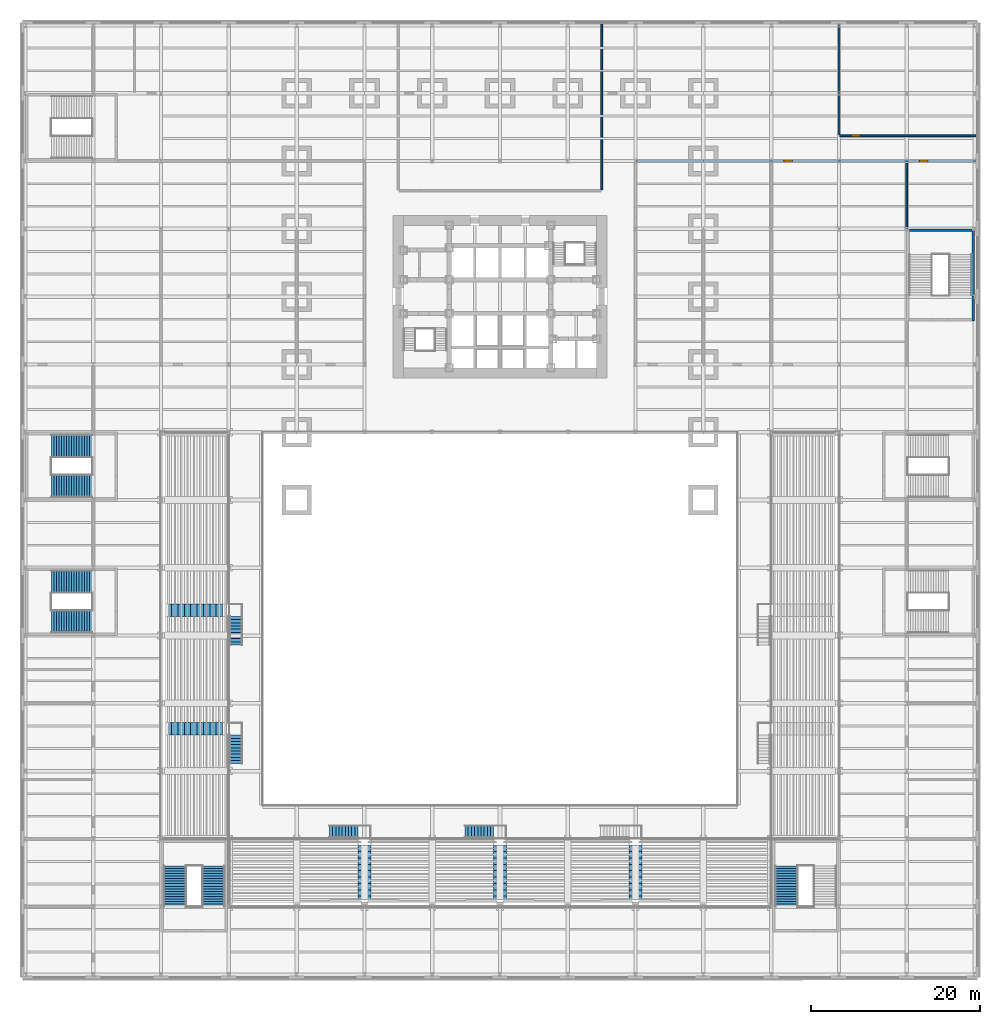
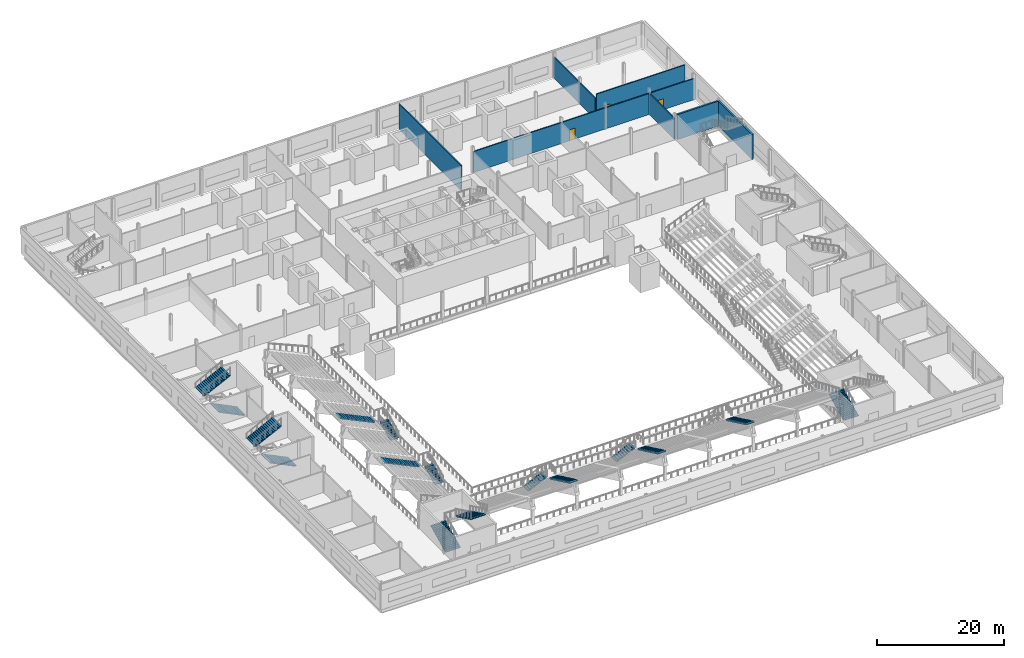
# One storey, part 18 of 27: 16 stair flights, 7 walls, 3 doors, 3 openings, 9 elements without a shape of their own.
"""IFC4 building model written with IfcOpenShell, lengths in metres."""

import ifcopenshell
import ifcopenshell.guid

model = None  # the IFC model being written
_history = None  # IfcOwnerHistory: only IFC2X3 demands one
_inside = {}  # id of a spatial element -> (the spatial element, [elements in it])
_under = {}  # id of a project, library or spatial element -> (it, [spatial elements below it])
_declared = {}  # id of a project -> (the project, [libraries it declares])
_typed = {}  # id of a type object -> (the type object, [elements of that type])
_made_of = {}  # id of a material, layer set ... -> (it, [elements and type objects made of it])


def new_model(schema):
    """Start an empty IFC model of exactly this schema.

    Asked for "IFC4X3", IfcOpenShell would pick the latest addendum, in which some entities
    have other attributes; the version numbers below select the first issue.
    IFC2X3 requires an IfcOwnerHistory on every rooted entity: one is made here for all.
    """
    global model, _history
    if schema == "IFC4X3":
        model = ifcopenshell.file(schema_version=(4, 3, 0, 0))
    else:
        model = ifcopenshell.file(schema=schema)
    _inside.clear()
    _under.clear()
    _declared.clear()
    _typed.clear()
    _made_of.clear()
    _history = None
    if model.schema == "IFC2X3":
        org = make("IfcOrganization", Name="unknown")
        user = make(
            "IfcPersonAndOrganization",
            ThePerson=make("IfcPerson", FamilyName="unknown"),
            TheOrganization=org,
        )
        app = make(
            "IfcApplication",
            ApplicationDeveloper=org,
            Version="unknown",
            ApplicationFullName="unknown",
            ApplicationIdentifier="unknown",
        )
        _history = make(
            "IfcOwnerHistory",
            OwningUser=user,
            OwningApplication=app,
            ChangeAction="ADDED",
            CreationDate=0,
        )
    return model


def make(cls, **values):
    """One entity of the class cls with the attributes given. An attribute that is None is left unset."""
    return model.create_entity(
        cls, **{name: value for name, value in values.items() if value is not None}
    )


def rooted(cls, **values):
    """An entity with a GlobalId (a new one), such as an element, a storey or a relation."""
    return make(cls, GlobalId=ifcopenshell.guid.new(), OwnerHistory=_history, **values)


def si_unit(unit_type, name, prefix=None):
    """IfcSIUnit, for example si_unit("LENGTHUNIT", "METRE", prefix="MILLI")."""
    return make("IfcSIUnit", UnitType=unit_type, Prefix=prefix, Name=name)


def assignment(units):
    """IfcUnitAssignment: the units of a project."""
    return None if units is None else make("IfcUnitAssignment", Units=units)


def point(xyz):
    """IfcCartesianPoint."""
    return None if xyz is None else make("IfcCartesianPoint", Coordinates=xyz)


def direction(xyz):
    """IfcDirection."""
    return None if xyz is None else make("IfcDirection", DirectionRatios=xyz)


def frame(location, z_axis=None, x_axis=None):
    """IfcAxis2Placement3D, a coordinate frame: its origin and axes. An axis left out is left unset."""
    return make(
        "IfcAxis2Placement3D",
        Location=point(location),
        Axis=direction(z_axis),
        RefDirection=direction(x_axis),
    )


def frame_2d(location, x_axis=None):
    """IfcAxis2Placement2D, a coordinate frame in the plane: its origin and x axis."""
    return make(
        "IfcAxis2Placement2D", Location=point(location), RefDirection=direction(x_axis)
    )


def origin():
    """The frame at (0, 0, 0) with its axes left unset."""
    return frame((0.0, 0.0, 0.0))


def place(relative_to, where):
    """IfcLocalPlacement: puts the frame where relative to a parent placement (None: the world)."""
    return make(
        "IfcLocalPlacement", PlacementRelTo=relative_to, RelativePlacement=where
    )


def context(
    kind, dimensions, precision=None, world=None, true_north=None, identifier=None
):
    """IfcGeometricRepresentationContext, for example the 3D "Model" context."""
    return make(
        "IfcGeometricRepresentationContext",
        ContextIdentifier=identifier,
        ContextType=kind,
        CoordinateSpaceDimension=dimensions,
        Precision=precision,
        WorldCoordinateSystem=world,
        TrueNorth=true_north,
    )


def subcontext(parent, identifier, kind, view, scale=None):
    """IfcGeometricRepresentationSubContext, for example "Body" below "Model"."""
    return make(
        "IfcGeometricRepresentationSubContext",
        ContextIdentifier=identifier,
        ContextType=kind,
        ParentContext=parent,
        TargetScale=scale,
        TargetView=view,
    )


def project(units=None, contexts=None):
    """IfcProject with its units and contexts."""
    return rooted(
        "IfcProject",
        Name="project",
        RepresentationContexts=contexts,
        UnitsInContext=assignment(units),
    )


def spatial(cls, under=None, at=None, **own):
    """A site, building, storey or space (cls), placed at a placement, below another one or the project."""
    s = rooted(cls, ObjectPlacement=at, **own)
    if under is not None:
        _under.setdefault(under.id(), (under, []))[1].append(s)
    return s


def polyline(points):
    """IfcPolyline through the points."""
    return make("IfcPolyline", Points=[point(p) for p in points])


def profile(cls, at=None, kind="AREA", **sizes):
    """A parametric profile (cls). Its sizes go by their IFC names, for example OverallWidth=200.0."""
    return make(cls, ProfileType=kind, Position=at, **sizes)


def rectangle(**sizes):
    """IfcRectangleProfileDef."""
    return profile("IfcRectangleProfileDef", **sizes)


def outline(outer, holes=None, kind="AREA"):
    """IfcArbitraryClosedProfileDef: a profile drawn as a closed curve; with holes, ...WithVoids."""
    if holes is None:
        return make("IfcArbitraryClosedProfileDef", ProfileType=kind, OuterCurve=outer)
    return make(
        "IfcArbitraryProfileDefWithVoids",
        ProfileType=kind,
        OuterCurve=outer,
        InnerCurves=holes,
    )


def extrude(swept, where, along, depth):
    """IfcExtrudedAreaSolid: the profile swept, set in the frame where, extruded along a direction by depth."""
    return make(
        "IfcExtrudedAreaSolid",
        SweptArea=swept,
        Position=where,
        ExtrudedDirection=direction(along),
        Depth=depth,
    )


def shape(context_of_items, identifier, shape_type, items):
    """IfcShapeRepresentation: the items that make up one representation, for example the "Body"."""
    return make(
        "IfcShapeRepresentation",
        ContextOfItems=context_of_items,
        RepresentationIdentifier=identifier,
        RepresentationType=shape_type,
        Items=items,
    )


def material(Name=None, Category=None):
    """IfcMaterial."""
    return make("IfcMaterial", Name=Name, Category=Category)


def layer(
    of_material, thickness, ventilated=None, Name=None, Category=None, Priority=None
):
    """IfcMaterialLayer: one layer of a wall or slab, of a material (None: an air gap)."""
    return make(
        "IfcMaterialLayer",
        Material=of_material,
        LayerThickness=thickness,
        IsVentilated=ventilated,
        Name=Name,
        Category=Category,
        Priority=Priority,
    )


def layer_set(layers, Name=None):
    """IfcMaterialLayerSet."""
    return make("IfcMaterialLayerSet", MaterialLayers=layers, LayerSetName=Name)


def made_of(thing, what):
    """Note that an element or type object is made of a material, layer set ...; save() writes the relation."""
    if what is not None:
        _made_of.setdefault(what.id(), (what, []))[1].append(thing)
    return thing


def type_object(cls, material=None, **own):
    """A type object (cls), such as IfcWallType, which elements share."""
    return made_of(rooted(cls, **own), material)


def element(
    cls,
    number,
    at=None,
    inside=None,
    cuts=None,
    type_object=None,
    material=None,
    context=None,
    identifier="Body",
    shape_type=None,
    held_by="IfcProductDefinitionShape",
    body=None,
    shapes=None,
    **own,
):
    """One element of the class cls, such as IfcWall. Its Tag is "e" and its number.

    at: its placement. inside: the storey or other place that contains it. cuts: it is an
    opening in that element (IfcRelVoidsElement). A single representation is given by context,
    identifier, shape_type and body (its items); several are given by shapes. held_by: the class
    of the entity that holds the representations. save() writes the other relations.
    """
    e = rooted(cls, Tag="e%d" % number, ObjectPlacement=at, **own)
    if body is not None:
        shapes = [shape(context, identifier, shape_type, body)]
    if shapes is not None:
        e.Representation = make(held_by, Representations=shapes)
    if inside is not None:
        _inside.setdefault(inside.id(), (inside, []))[1].append(e)
    if cuts is not None:
        rooted(
            "IfcRelVoidsElement", RelatingBuildingElement=cuts, RelatedOpeningElement=e
        )
    if type_object is not None:
        _typed.setdefault(type_object.id(), (type_object, []))[1].append(e)
    return made_of(e, material)


def fill(opening, filler):
    """IfcRelFillsElement: the door or window that sits in an opening."""
    return rooted(
        "IfcRelFillsElement",
        RelatingOpeningElement=opening,
        RelatedBuildingElement=filler,
    )


def aggregate(whole, parts):
    """IfcRelAggregates: a whole, such as a stair, and the parts it consists of."""
    return rooted("IfcRelAggregates", RelatingObject=whole, RelatedObjects=parts)


def save(model, path):
    """Write the relations noted so far, then the file.

    IfcRelAggregates (storeys below a building ...), IfcRelContainedInSpatialStructure (elements
    in a storey), IfcRelDefinesByType, IfcRelAssociatesMaterial and IfcRelDeclares: one each for
    every whole, place, type object, material and project.
    """
    for whole, parts in _under.values():
        aggregate(whole, parts)
    for where, things in _inside.values():
        rooted(
            "IfcRelContainedInSpatialStructure",
            RelatedElements=things,
            RelatingStructure=where,
        )
    for kind, things in _typed.values():
        rooted("IfcRelDefinesByType", RelatedObjects=things, RelatingType=kind)
    for what, things in _made_of.values():
        rooted("IfcRelAssociatesMaterial", RelatedObjects=things, RelatingMaterial=what)
    for by, libraries in _declared.values():
        rooted("IfcRelDeclares", RelatingContext=by, RelatedDefinitions=libraries)
    model.write(path)


model = new_model("IFC4")

# Units and contexts
model_context = context("Model", 3, precision=1e-05, world=origin(), true_north=direction((0.0, 1.0)))
body_context = subcontext(model_context, "Body", "Model", "MODEL_VIEW")
ifc_project = project(units=[si_unit("LENGTHUNIT", "METRE"), si_unit("AREAUNIT", "SQUARE_METRE"), si_unit("VOLUMEUNIT", "CUBIC_METRE"), si_unit("PLANEANGLEUNIT", "RADIAN"), si_unit("MASSUNIT", "GRAM", prefix="KILO")], contexts=[model_context])

# Site, building, storey
site_placement = place(None, origin())
site = spatial("IfcSite", under=ifc_project, at=site_placement, CompositionType="ELEMENT")
building_placement = place(site_placement, origin())
building = spatial("IfcBuilding", under=site, at=building_placement, Name="Daluyong Arena Tower", CompositionType="ELEMENT")
storey_placement = place(building_placement, frame((0.0, 0.0, 14.89990234375)))
storey = spatial("IfcBuildingStorey", under=building, at=storey_placement, Name="L03", CompositionType="ELEMENT", Elevation=14.89990234375)

# Wall, openings, doors
ifc_material_1 = material(Name="Concrete block partition", Category="concrete")
ifc_layer_1 = layer(ifc_material_1, 0.199951171875)
ifc_layer_set_1 = layer_set([ifc_layer_1], Name="Concrete block partition")
wall_type_1 = type_object("IfcWallType", Name="Partition 200", PredefinedType="PARTITIONING", material=ifc_layer_set_1)
wall_1_placement = place(storey_placement, frame((72.10009765625, 96.0, 0.0), z_axis=(0.0, 0.0, 1.0), x_axis=(1.0, 0.0, 0.0)))
wall_1 = element("IfcWall", 1, at=wall_1_placement, inside=storey, type_object=wall_type_1, Name="partition at L03", PredefinedType="PARTITIONING", context=body_context, shape_type="SweptSolid", body=[
    extrude(rectangle(XDim=40.0498046875, YDim=0.199951171875, at=frame_2d((20.02490234375, 0.0))), origin(), (0.0, 0.0, 1.0), 4.02783203125),
])
opening_1_placement = place(wall_1_placement, frame((17.39990234375, 0.0, 0.0)))
opening_1 = element("IfcOpeningElement", 2, at=opening_1_placement, cuts=wall_1, Name="Opening 03049", PredefinedType="OPENING", context=body_context, shape_type="SweptSolid", body=[
    extrude(rectangle(XDim=1.0, YDim=2.10009765625, at=frame_2d((0.5, 1.050048828125))), frame((0.0, 0.10986328125, 0.0), z_axis=(0.0, -1.0, 0.0), x_axis=(1.0, 0.0, 0.0)), (0.0, 0.0, 1.0), 0.219970703125),
])
opening_2_placement = place(wall_1_placement, frame((33.39990234375, 0.0, 0.0)))
opening_2 = element("IfcOpeningElement", 3, at=opening_2_placement, cuts=wall_1, Name="Opening 03050", PredefinedType="OPENING", context=body_context, shape_type="SweptSolid", body=[
    extrude(rectangle(XDim=1.0, YDim=2.10009765625, at=frame_2d((0.5, 1.050048828125))), frame((0.0, 0.10986328125, 0.0), z_axis=(0.0, -1.0, 0.0), x_axis=(1.0, 0.0, 0.0)), (0.0, 0.0, 1.0), 0.219970703125),
])
ifc_material_2 = material(Name="Timber door", Category="wood")
door_type = type_object("IfcDoorType", Name="Room door 1000", OperationType="SINGLE_SWING_LEFT", PredefinedType="DOOR", material=ifc_material_2)
door_1_placement = place(opening_1_placement, origin())
door_1 = element("IfcDoor", 4, at=door_1_placement, inside=storey, type_object=door_type, Name="event crew room door 03049", OperationType="SINGLE_SWING_LEFT", OverallHeight=2.10009765625, OverallWidth=1.0, PredefinedType="DOOR", context=body_context, shape_type="SweptSolid", body=[
    extrude(rectangle(XDim=1.0, YDim=2.10009765625, at=frame_2d((0.5, 1.050048828125))), frame((0.0, 0.099609375, 0.0), z_axis=(0.0, -1.0, 0.0), x_axis=(1.0, 0.0, 0.0)), (0.0, 0.0, 1.0), 0.199462890625),
])
fill(opening_1, door_1)
door_2_placement = place(opening_2_placement, origin())
door_2 = element("IfcDoor", 5, at=door_2_placement, inside=storey, type_object=door_type, Name="camera and cable workshop door 03050", OperationType="SINGLE_SWING_LEFT", OverallHeight=2.10009765625, OverallWidth=1.0, PredefinedType="DOOR", context=body_context, shape_type="SweptSolid", body=[
    extrude(rectangle(XDim=1.0, YDim=2.10009765625, at=frame_2d((0.5, 1.050048828125))), frame((0.0, 0.099609375, 0.0), z_axis=(0.0, -1.0, 0.0), x_axis=(1.0, 0.0, 0.0)), (0.0, 0.0, 1.0), 0.199462890625),
])
fill(opening_2, door_2)

# Wall, opening, door
wall_2_placement = place(storey_placement, frame((96.10009765625, 99.0, 0.0), z_axis=(0.0, 0.0, 1.0), x_axis=(1.0, 0.0, 0.0)))
wall_2 = element("IfcWall", 6, at=wall_2_placement, inside=storey, type_object=wall_type_1, Name="partition at L03", PredefinedType="PARTITIONING", context=body_context, shape_type="SweptSolid", body=[
    extrude(rectangle(XDim=16.0498046875, YDim=0.199951171875, at=frame_2d((8.02490234375, 0.0))), origin(), (0.0, 0.0, 1.0), 4.800048828125),
])
opening_3_placement = place(wall_2_placement, frame((1.39990234375, 0.0, 0.0)))
opening_3 = element("IfcOpeningElement", 7, at=opening_3_placement, cuts=wall_2, Name="Opening 03030", PredefinedType="OPENING", context=body_context, shape_type="SweptSolid", body=[
    extrude(rectangle(XDim=1.0, YDim=2.10009765625, at=frame_2d((0.5, 1.050048828125))), frame((0.0, 0.10986328125, 0.0), z_axis=(0.0, -1.0, 0.0), x_axis=(1.0, 0.0, 0.0)), (0.0, 0.0, 1.0), 0.219970703125),
])
door_3_placement = place(opening_3_placement, origin())
door_3 = element("IfcDoor", 8, at=door_3_placement, inside=storey, type_object=door_type, Name="media workroom door 03030", OperationType="SINGLE_SWING_LEFT", OverallHeight=2.10009765625, OverallWidth=1.0, PredefinedType="DOOR", context=body_context, shape_type="SweptSolid", body=[
    extrude(rectangle(XDim=1.0, YDim=2.10009765625, at=frame_2d((0.5, 1.050048828125))), frame((0.0, 0.099609375, 0.0), z_axis=(0.0, -1.0, 0.0), x_axis=(1.0, 0.0, 0.0)), (0.0, 0.0, 1.0), 0.199462890625),
])
fill(opening_3, door_3)

# Walls
wall_3_placement = place(storey_placement, frame((68.0, 92.60009765625, 0.0), z_axis=(0.0, 0.0, 1.0), x_axis=(0.0, 1.0, 0.0)))
element("IfcWall", 9, at=wall_3_placement, inside=storey, type_object=wall_type_1, Name="partition at L03", PredefinedType="PARTITIONING", context=body_context, shape_type="SweptSolid", body=[
    extrude(rectangle(XDim=19.5498046875, YDim=0.199951171875, at=frame_2d((9.77490234375, 0.0))), origin(), (0.0, 0.0, 1.0), 4.800048828125),
])
wall_4_placement = place(storey_placement, frame((96.0, 99.10009765625, 0.0), z_axis=(0.0, 0.0, 1.0), x_axis=(0.0, 1.0, 0.0)))
element("IfcWall", 10, at=wall_4_placement, inside=storey, type_object=wall_type_1, Name="partition at L03", PredefinedType="PARTITIONING", context=body_context, shape_type="SweptSolid", body=[
    extrude(rectangle(XDim=13.0498046875, YDim=0.199951171875, at=frame_2d((6.52490234375, 0.0))), origin(), (0.0, 0.0, 1.0), 4.02783203125),
])
wall_5_placement = place(storey_placement, frame((104.0, 88.10009765625, 0.0), z_axis=(0.0, 0.0, 1.0), x_axis=(0.0, 1.0, 0.0)))
element("IfcWall", 11, at=wall_5_placement, inside=storey, type_object=wall_type_1, Name="partition at L03", PredefinedType="PARTITIONING", context=body_context, shape_type="SweptSolid", body=[
    extrude(rectangle(XDim=7.7998046875, YDim=0.199951171875, at=frame_2d((3.89990234375, 0.0))), origin(), (0.0, 0.0, 1.0), 4.02783203125),
])
ifc_material_3 = material(Name="Concrete fc' 35 MPa", Category="concrete")
ifc_layer_2 = layer(ifc_material_3, 0.300048828125)
ifc_layer_set_2 = layer_set([ifc_layer_2], Name="Concrete fc' 35 MPa")
wall_type_2 = type_object("IfcWallType", Name="Stair enclosure wall 300", PredefinedType="SOLIDWALL", material=ifc_layer_set_2)
wall_6_placement = place(storey_placement, frame((111.85009765625, 77.14990234375, 0.0), z_axis=(0.0, 0.0, 1.0), x_axis=(0.0, 1.0, 0.0)))
element("IfcWall", 12, at=wall_6_placement, inside=storey, type_object=wall_type_2, Name="exit stair PS6 enclosure", PredefinedType="SOLIDWALL", context=body_context, shape_type="SweptSolid", body=[
    extrude(rectangle(XDim=10.641845703125, YDim=0.300048828125, at=frame_2d((5.32080078125, 0.0))), origin(), (0.0, 0.0, 1.0), 4.800048828125),
])
wall_7_placement = place(storey_placement, frame((104.300048828125, 87.85009765625, 0.0), z_axis=(0.0, 0.0, 1.0), x_axis=(1.0, 0.0, 0.0)))
element("IfcWall", 13, at=wall_7_placement, inside=storey, type_object=wall_type_2, Name="exit stair PS6 enclosure", PredefinedType="SOLIDWALL", context=body_context, shape_type="SweptSolid", body=[
    extrude(rectangle(XDim=7.39990234375, YDim=0.300048828125, at=frame_2d((3.699951171875, 0.0))), origin(), (0.0, 0.0, 1.0), 4.800048828125),
])

# Stair, stair flights
ifc_material_4 = material(Name="Concrete fc' 35 MPa", Category="concrete")
stair_type_1 = type_object("IfcStairType", Name="Bowl aisle stair", PredefinedType="STRAIGHT_RUN_STAIR", material=ifc_material_4)
stair_1_placement = place(storey_placement, origin())
stair_1 = element("IfcStair", 14, at=stair_1_placement, inside=storey, type_object=stair_type_1, Name="upper bowl aisle stair", PredefinedType="STRAIGHT_RUN_STAIR")
ifc_material_5 = material(Name="Concrete fc' 35 MPa", Category="concrete")
stair_flight_type_1 = type_object("IfcStairFlightType", Name="Aisle stair flight", PredefinedType="STRAIGHT", material=ifc_material_5)
stair_flight_1_placement = place(storey_placement, frame((24.85009765625, 24.875, 0.0), z_axis=(0.0, 0.0, 1.0), x_axis=(0.0, 1.0, 0.0)))
stair_flight_1 = element("IfcStairFlight", 15, at=stair_flight_1_placement, type_object=stair_flight_type_1, Name="AS flight 1", NumberOfRisers=10, NumberOfTreads=9, PredefinedType="STRAIGHT", RiserHeight=0.178571429, TreadLength=0.375, context=body_context, shape_type="SweptSolid", body=[
    extrude(outline(polyline([(0.0, 0.0), (0.0, 0.178466796875), (0.375, 0.178466796875), (0.375, 0.357177734375), (0.75, 0.357177734375), (0.75, 0.53564453125), (1.125, 0.53564453125), (1.125, 0.71435546875), (1.5, 0.71435546875), (1.5, 0.892822265625), (1.875, 0.892822265625), (1.875, 1.071533203125), (2.25, 1.071533203125), (2.25, 1.25), (2.625, 1.25), (2.625, 1.428466796875), (3.0, 1.428466796875), (3.0, 1.607177734375), (3.375, 1.607177734375), (3.375, 1.78564453125), (3.375, 1.441162109375), (0.3486328125, 0.0), (0.0, 0.0)])), frame((0.0, 0.75, 0.0), z_axis=(0.0, -1.0, 0.0), x_axis=(1.0, 0.0, 0.0)), (0.0, 0.0, 1.0), 1.5),
])
stair_flight_2_placement = place(storey_placement, frame((23.25, 29.0, 1.785888671875), z_axis=(0.0, 0.0, 1.0), x_axis=(-1.0, 0.0, 0.0)))
stair_flight_2 = element("IfcStairFlight", 16, at=stair_flight_2_placement, type_object=stair_flight_type_1, Name="AS flight 2", NumberOfRisers=18, NumberOfTreads=17, PredefinedType="STRAIGHT", RiserHeight=0.178571429, TreadLength=0.375, context=body_context, shape_type="SweptSolid", body=[
    extrude(outline(polyline([(0.0, 0.0), (0.0, 0.178466796875), (0.375, 0.178466796875), (0.375, 0.357177734375), (0.75, 0.357177734375), (0.75, 0.53564453125), (1.125, 0.53564453125), (1.125, 0.71435546875), (1.5, 0.71435546875), (1.5, 0.892822265625), (1.875, 0.892822265625), (1.875, 1.071533203125), (2.25, 1.071533203125), (2.25, 1.25), (2.625, 1.25), (2.625, 1.428466796875), (3.0, 1.428466796875), (3.0, 1.607177734375), (3.375, 1.607177734375), (3.375, 1.78564453125), (3.75, 1.78564453125), (3.75, 1.96435546875), (4.125, 1.96435546875), (4.125, 2.142822265625), (4.5, 2.142822265625), (4.5, 2.321533203125), (4.875, 2.321533203125), (4.875, 2.5), (5.25, 2.5), (5.25, 2.678466796875), (5.625, 2.678466796875), (5.625, 2.857177734375), (6.0, 2.857177734375), (6.0, 3.03564453125), (6.375, 3.03564453125), (6.375, 3.21435546875), (6.375, 2.86962890625), (0.3486328125, 0.0), (0.0, 0.0)])), frame((0.0, 0.75, 0.0), z_axis=(0.0, -1.0, 0.0), x_axis=(1.0, 0.0, 0.0)), (0.0, 0.0, 1.0), 1.5),
])
aggregate(stair_1, [stair_flight_1, stair_flight_2])

stair_2_placement = place(storey_placement, origin())
stair_2 = element("IfcStair", 17, at=stair_2_placement, inside=storey, type_object=stair_type_1, Name="upper bowl aisle stair", PredefinedType="STRAIGHT_RUN_STAIR")
stair_flight_3_placement = place(storey_placement, frame((24.85009765625, 38.875, 0.0), z_axis=(0.0, 0.0, 1.0), x_axis=(0.0, 1.0, 0.0)))
stair_flight_3 = element("IfcStairFlight", 18, at=stair_flight_3_placement, type_object=stair_flight_type_1, Name="AS flight 1", NumberOfRisers=10, NumberOfTreads=9, PredefinedType="STRAIGHT", RiserHeight=0.178571429, TreadLength=0.375, context=body_context, shape_type="SweptSolid", body=[
    extrude(outline(polyline([(0.0, 0.0), (0.0, 0.178466796875), (0.375, 0.178466796875), (0.375, 0.357177734375), (0.75, 0.357177734375), (0.75, 0.53564453125), (1.125, 0.53564453125), (1.125, 0.71435546875), (1.5, 0.71435546875), (1.5, 0.892822265625), (1.875, 0.892822265625), (1.875, 1.071533203125), (2.25, 1.071533203125), (2.25, 1.25), (2.625, 1.25), (2.625, 1.428466796875), (3.0, 1.428466796875), (3.0, 1.607177734375), (3.375, 1.607177734375), (3.375, 1.78564453125), (3.375, 1.441162109375), (0.3486328125, 0.0), (0.0, 0.0)])), frame((0.0, 0.75, 0.0), z_axis=(0.0, -1.0, 0.0), x_axis=(1.0, 0.0, 0.0)), (0.0, 0.0, 1.0), 1.5),
])
stair_flight_4_placement = place(storey_placement, frame((23.25, 43.0, 1.785888671875), z_axis=(0.0, 0.0, 1.0), x_axis=(-1.0, 0.0, 0.0)))
stair_flight_4 = element("IfcStairFlight", 19, at=stair_flight_4_placement, type_object=stair_flight_type_1, Name="AS flight 2", NumberOfRisers=18, NumberOfTreads=17, PredefinedType="STRAIGHT", RiserHeight=0.178571429, TreadLength=0.375, context=body_context, shape_type="SweptSolid", body=[
    extrude(outline(polyline([(0.0, 0.0), (0.0, 0.178466796875), (0.375, 0.178466796875), (0.375, 0.357177734375), (0.75, 0.357177734375), (0.75, 0.53564453125), (1.125, 0.53564453125), (1.125, 0.71435546875), (1.5, 0.71435546875), (1.5, 0.892822265625), (1.875, 0.892822265625), (1.875, 1.071533203125), (2.25, 1.071533203125), (2.25, 1.25), (2.625, 1.25), (2.625, 1.428466796875), (3.0, 1.428466796875), (3.0, 1.607177734375), (3.375, 1.607177734375), (3.375, 1.78564453125), (3.75, 1.78564453125), (3.75, 1.96435546875), (4.125, 1.96435546875), (4.125, 2.142822265625), (4.5, 2.142822265625), (4.5, 2.321533203125), (4.875, 2.321533203125), (4.875, 2.5), (5.25, 2.5), (5.25, 2.678466796875), (5.625, 2.678466796875), (5.625, 2.857177734375), (6.0, 2.857177734375), (6.0, 3.03564453125), (6.375, 3.03564453125), (6.375, 3.21435546875), (6.375, 2.86962890625), (0.3486328125, 0.0), (0.0, 0.0)])), frame((0.0, 0.75, 0.0), z_axis=(0.0, -1.0, 0.0), x_axis=(1.0, 0.0, 0.0)), (0.0, 0.0, 1.0), 1.5),
])
aggregate(stair_2, [stair_flight_3, stair_flight_4])

stair_3_placement = place(storey_placement, origin())
stair_3 = element("IfcStair", 20, at=stair_3_placement, inside=storey, type_object=stair_type_1, Name="upper bowl aisle stair", PredefinedType="STRAIGHT_RUN_STAIR")
stair_flight_5_placement = place(storey_placement, frame((35.875, 16.85009765625, 0.0), z_axis=(0.0, 0.0, 1.0), x_axis=(1.0, 0.0, 0.0)))
stair_flight_5 = element("IfcStairFlight", 21, at=stair_flight_5_placement, type_object=stair_flight_type_1, Name="AS flight 1", NumberOfRisers=10, NumberOfTreads=9, PredefinedType="STRAIGHT", RiserHeight=0.178571429, TreadLength=0.375, context=body_context, shape_type="SweptSolid", body=[
    extrude(outline(polyline([(0.0, 0.0), (0.0, 0.178466796875), (0.375, 0.178466796875), (0.375, 0.357177734375), (0.75, 0.357177734375), (0.75, 0.53564453125), (1.125, 0.53564453125), (1.125, 0.71435546875), (1.5, 0.71435546875), (1.5, 0.892822265625), (1.875, 0.892822265625), (1.875, 1.071533203125), (2.25, 1.071533203125), (2.25, 1.25), (2.625, 1.25), (2.625, 1.428466796875), (3.0, 1.428466796875), (3.0, 1.607177734375), (3.375, 1.607177734375), (3.375, 1.78564453125), (3.375, 1.441162109375), (0.3486328125, 0.0), (0.0, 0.0)])), frame((0.0, 0.75, 0.0), z_axis=(0.0, -1.0, 0.0), x_axis=(1.0, 0.0, 0.0)), (0.0, 0.0, 1.0), 1.5),
])
stair_flight_6_placement = place(storey_placement, frame((40.0, 15.25, 1.785888671875), z_axis=(0.0, 0.0, 1.0), x_axis=(0.0, -1.0, 0.0)))
stair_flight_6 = element("IfcStairFlight", 22, at=stair_flight_6_placement, type_object=stair_flight_type_1, Name="AS flight 2", NumberOfRisers=18, NumberOfTreads=17, PredefinedType="STRAIGHT", RiserHeight=0.178571429, TreadLength=0.375, context=body_context, shape_type="SweptSolid", body=[
    extrude(outline(polyline([(0.0, 0.0), (0.0, 0.178466796875), (0.375, 0.178466796875), (0.375, 0.357177734375), (0.75, 0.357177734375), (0.75, 0.53564453125), (1.125, 0.53564453125), (1.125, 0.71435546875), (1.5, 0.71435546875), (1.5, 0.892822265625), (1.875, 0.892822265625), (1.875, 1.071533203125), (2.25, 1.071533203125), (2.25, 1.25), (2.625, 1.25), (2.625, 1.428466796875), (3.0, 1.428466796875), (3.0, 1.607177734375), (3.375, 1.607177734375), (3.375, 1.78564453125), (3.75, 1.78564453125), (3.75, 1.96435546875), (4.125, 1.96435546875), (4.125, 2.142822265625), (4.5, 2.142822265625), (4.5, 2.321533203125), (4.875, 2.321533203125), (4.875, 2.5), (5.25, 2.5), (5.25, 2.678466796875), (5.625, 2.678466796875), (5.625, 2.857177734375), (6.0, 2.857177734375), (6.0, 3.03564453125), (6.375, 3.03564453125), (6.375, 3.21435546875), (6.375, 2.86962890625), (0.3486328125, 0.0), (0.0, 0.0)])), frame((0.0, 0.75, 0.0), z_axis=(0.0, -1.0, 0.0), x_axis=(1.0, 0.0, 0.0)), (0.0, 0.0, 1.0), 1.5),
])
aggregate(stair_3, [stair_flight_5, stair_flight_6])

stair_4_placement = place(storey_placement, origin())
stair_4 = element("IfcStair", 23, at=stair_4_placement, inside=storey, type_object=stair_type_1, Name="upper bowl aisle stair", PredefinedType="STRAIGHT_RUN_STAIR")
stair_flight_7_placement = place(storey_placement, frame((51.875, 16.85009765625, 0.0), z_axis=(0.0, 0.0, 1.0), x_axis=(1.0, 0.0, 0.0)))
stair_flight_7 = element("IfcStairFlight", 24, at=stair_flight_7_placement, type_object=stair_flight_type_1, Name="AS flight 1", NumberOfRisers=10, NumberOfTreads=9, PredefinedType="STRAIGHT", RiserHeight=0.178571429, TreadLength=0.375, context=body_context, shape_type="SweptSolid", body=[
    extrude(outline(polyline([(0.0, 0.0), (0.0, 0.178466796875), (0.375, 0.178466796875), (0.375, 0.357177734375), (0.75, 0.357177734375), (0.75, 0.53564453125), (1.125, 0.53564453125), (1.125, 0.71435546875), (1.5, 0.71435546875), (1.5, 0.892822265625), (1.875, 0.892822265625), (1.875, 1.071533203125), (2.25, 1.071533203125), (2.25, 1.25), (2.625, 1.25), (2.625, 1.428466796875), (3.0, 1.428466796875), (3.0, 1.607177734375), (3.375, 1.607177734375), (3.375, 1.78564453125), (3.375, 1.441162109375), (0.3486328125, 0.0), (0.0, 0.0)])), frame((0.0, 0.75, 0.0), z_axis=(0.0, -1.0, 0.0), x_axis=(1.0, 0.0, 0.0)), (0.0, 0.0, 1.0), 1.5),
])
stair_flight_8_placement = place(storey_placement, frame((56.0, 15.25, 1.785888671875), z_axis=(0.0, 0.0, 1.0), x_axis=(0.0, -1.0, 0.0)))
stair_flight_8 = element("IfcStairFlight", 25, at=stair_flight_8_placement, type_object=stair_flight_type_1, Name="AS flight 2", NumberOfRisers=18, NumberOfTreads=17, PredefinedType="STRAIGHT", RiserHeight=0.178571429, TreadLength=0.375, context=body_context, shape_type="SweptSolid", body=[
    extrude(outline(polyline([(0.0, 0.0), (0.0, 0.178466796875), (0.375, 0.178466796875), (0.375, 0.357177734375), (0.75, 0.357177734375), (0.75, 0.53564453125), (1.125, 0.53564453125), (1.125, 0.71435546875), (1.5, 0.71435546875), (1.5, 0.892822265625), (1.875, 0.892822265625), (1.875, 1.071533203125), (2.25, 1.071533203125), (2.25, 1.25), (2.625, 1.25), (2.625, 1.428466796875), (3.0, 1.428466796875), (3.0, 1.607177734375), (3.375, 1.607177734375), (3.375, 1.78564453125), (3.75, 1.78564453125), (3.75, 1.96435546875), (4.125, 1.96435546875), (4.125, 2.142822265625), (4.5, 2.142822265625), (4.5, 2.321533203125), (4.875, 2.321533203125), (4.875, 2.5), (5.25, 2.5), (5.25, 2.678466796875), (5.625, 2.678466796875), (5.625, 2.857177734375), (6.0, 2.857177734375), (6.0, 3.03564453125), (6.375, 3.03564453125), (6.375, 3.21435546875), (6.375, 2.86962890625), (0.3486328125, 0.0), (0.0, 0.0)])), frame((0.0, 0.75, 0.0), z_axis=(0.0, -1.0, 0.0), x_axis=(1.0, 0.0, 0.0)), (0.0, 0.0, 1.0), 1.5),
])
aggregate(stair_4, [stair_flight_7, stair_flight_8])

# Stair, stair flight
stair_5_placement = place(storey_placement, origin())
stair_5 = element("IfcStair", 26, at=stair_5_placement, inside=storey, type_object=stair_type_1, Name="upper bowl aisle stair", PredefinedType="STRAIGHT_RUN_STAIR")
stair_flight_9_placement = place(storey_placement, frame((72.0, 15.25, 1.785888671875), z_axis=(0.0, 0.0, 1.0), x_axis=(0.0, -1.0, 0.0)))
stair_flight_9 = element("IfcStairFlight", 27, at=stair_flight_9_placement, type_object=stair_flight_type_1, Name="AS flight 2", NumberOfRisers=18, NumberOfTreads=17, PredefinedType="STRAIGHT", RiserHeight=0.178571429, TreadLength=0.375, context=body_context, shape_type="SweptSolid", body=[
    extrude(outline(polyline([(0.0, 0.0), (0.0, 0.178466796875), (0.375, 0.178466796875), (0.375, 0.357177734375), (0.75, 0.357177734375), (0.75, 0.53564453125), (1.125, 0.53564453125), (1.125, 0.71435546875), (1.5, 0.71435546875), (1.5, 0.892822265625), (1.875, 0.892822265625), (1.875, 1.071533203125), (2.25, 1.071533203125), (2.25, 1.25), (2.625, 1.25), (2.625, 1.428466796875), (3.0, 1.428466796875), (3.0, 1.607177734375), (3.375, 1.607177734375), (3.375, 1.78564453125), (3.75, 1.78564453125), (3.75, 1.96435546875), (4.125, 1.96435546875), (4.125, 2.142822265625), (4.5, 2.142822265625), (4.5, 2.321533203125), (4.875, 2.321533203125), (4.875, 2.5), (5.25, 2.5), (5.25, 2.678466796875), (5.625, 2.678466796875), (5.625, 2.857177734375), (6.0, 2.857177734375), (6.0, 3.03564453125), (6.375, 3.03564453125), (6.375, 3.21435546875), (6.375, 2.86962890625), (0.3486328125, 0.0), (0.0, 0.0)])), frame((0.0, 0.75, 0.0), z_axis=(0.0, -1.0, 0.0), x_axis=(1.0, 0.0, 0.0)), (0.0, 0.0, 1.0), 1.5),
])
aggregate(stair_5, [stair_flight_9])

# Stair, stair flights
ifc_material_6 = material(Name="Concrete fc' 35 MPa", Category="concrete")
stair_type_2 = type_object("IfcStairType", Name="Podium exit stair", PredefinedType="HALF_TURN_STAIR", material=ifc_material_6)
stair_6_placement = place(storey_placement, origin())
stair_6 = element("IfcStair", 28, at=stair_6_placement, inside=storey, type_object=stair_type_2, Name="exit stair PS1 L03", PredefinedType="HALF_TURN_STAIR")
ifc_material_7 = material(Name="Concrete fc' 35 MPa", Category="concrete")
stair_flight_type_2 = type_object("IfcStairFlightType", Name="Podium stair flight", PredefinedType="STRAIGHT", material=ifc_material_7)
stair_flight_10_placement = place(storey_placement, frame((17.64990234375, 8.010009765625, 0.0), z_axis=(0.0, 0.0, 1.0), x_axis=(0.0, 1.0, 0.0)))
stair_flight_10 = element("IfcStairFlight", 29, at=stair_flight_10_placement, type_object=stair_flight_type_2, Name="PS1 flight 1", NumberOfRisers=17, NumberOfTreads=16, PredefinedType="STRAIGHT", RiserHeight=0.147058824, TreadLength=0.3, context=body_context, shape_type="SweptSolid", body=[
    extrude(outline(polyline([(0.0, 0.0), (0.0, 0.14697265625), (0.300048828125, 0.14697265625), (0.300048828125, 0.294189453125), (0.60009765625, 0.294189453125), (0.60009765625, 0.441162109375), (0.89990234375, 0.441162109375), (0.89990234375, 0.588134765625), (1.199951171875, 0.588134765625), (1.199951171875, 0.7353515625), (1.5, 0.7353515625), (1.5, 0.88232421875), (1.800048828125, 0.88232421875), (1.800048828125, 1.029296875), (2.10009765625, 1.029296875), (2.10009765625, 1.176513671875), (2.39990234375, 1.176513671875), (2.39990234375, 1.323486328125), (2.699951171875, 1.323486328125), (2.699951171875, 1.470703125), (3.0, 1.470703125), (3.0, 1.61767578125), (3.300048828125, 1.61767578125), (3.300048828125, 1.7646484375), (3.60009765625, 1.7646484375), (3.60009765625, 1.911865234375), (3.89990234375, 1.911865234375), (3.89990234375, 2.058837890625), (4.199951171875, 2.058837890625), (4.199951171875, 2.205810546875), (4.5, 2.205810546875), (4.5, 2.35302734375), (4.800048828125, 2.35302734375), (4.800048828125, 2.5), (4.800048828125, 2.18603515625), (0.340576171875, 0.0), (0.0, 0.0)])), frame((0.0, 1.35009765625, 0.0), z_axis=(0.0, -1.0, 0.0), x_axis=(1.0, 0.0, 0.0)), (0.0, 0.0, 1.0), 2.699951171875),
])
stair_flight_11_placement = place(storey_placement, frame((22.199951171875, 12.81005859375, 2.5), z_axis=(0.0, 0.0, 1.0), x_axis=(0.0, -1.0, 0.0)))
stair_flight_11 = element("IfcStairFlight", 30, at=stair_flight_11_placement, type_object=stair_flight_type_2, Name="PS1 flight 2", NumberOfRisers=17, NumberOfTreads=16, PredefinedType="STRAIGHT", RiserHeight=0.147058824, TreadLength=0.3, context=body_context, shape_type="SweptSolid", body=[
    extrude(outline(polyline([(0.0, 0.0), (0.0, 0.14697265625), (0.300048828125, 0.14697265625), (0.300048828125, 0.294189453125), (0.60009765625, 0.294189453125), (0.60009765625, 0.441162109375), (0.89990234375, 0.441162109375), (0.89990234375, 0.588134765625), (1.199951171875, 0.588134765625), (1.199951171875, 0.7353515625), (1.5, 0.7353515625), (1.5, 0.88232421875), (1.800048828125, 0.88232421875), (1.800048828125, 1.029296875), (2.10009765625, 1.029296875), (2.10009765625, 1.176513671875), (2.39990234375, 1.176513671875), (2.39990234375, 1.323486328125), (2.699951171875, 1.323486328125), (2.699951171875, 1.470703125), (3.0, 1.470703125), (3.0, 1.61767578125), (3.300048828125, 1.61767578125), (3.300048828125, 1.7646484375), (3.60009765625, 1.7646484375), (3.60009765625, 1.911865234375), (3.89990234375, 1.911865234375), (3.89990234375, 2.058837890625), (4.199951171875, 2.058837890625), (4.199951171875, 2.205810546875), (4.5, 2.205810546875), (4.5, 2.35302734375), (4.800048828125, 2.35302734375), (4.800048828125, 2.5), (4.800048828125, 2.18603515625), (0.340576171875, 0.0), (0.0, 0.0)])), frame((0.0, 1.35009765625, 0.0), z_axis=(0.0, -1.0, 0.0), x_axis=(1.0, 0.0, 0.0)), (0.0, 0.0, 1.0), 2.699951171875),
])
aggregate(stair_6, [stair_flight_10, stair_flight_11])

# Stair, stair flight
stair_7_placement = place(storey_placement, origin())
stair_7 = element("IfcStair", 31, at=stair_7_placement, inside=storey, type_object=stair_type_2, Name="exit stair PS2 L03", PredefinedType="HALF_TURN_STAIR")
stair_flight_12_placement = place(storey_placement, frame((89.800048828125, 8.010009765625, 0.0), z_axis=(0.0, 0.0, 1.0), x_axis=(0.0, 1.0, 0.0)))
stair_flight_12 = element("IfcStairFlight", 32, at=stair_flight_12_placement, type_object=stair_flight_type_2, Name="PS2 flight 1", NumberOfRisers=17, NumberOfTreads=16, PredefinedType="STRAIGHT", RiserHeight=0.147058824, TreadLength=0.3, context=body_context, shape_type="SweptSolid", body=[
    extrude(outline(polyline([(0.0, 0.0), (0.0, 0.14697265625), (0.300048828125, 0.14697265625), (0.300048828125, 0.294189453125), (0.60009765625, 0.294189453125), (0.60009765625, 0.441162109375), (0.89990234375, 0.441162109375), (0.89990234375, 0.588134765625), (1.199951171875, 0.588134765625), (1.199951171875, 0.7353515625), (1.5, 0.7353515625), (1.5, 0.88232421875), (1.800048828125, 0.88232421875), (1.800048828125, 1.029296875), (2.10009765625, 1.029296875), (2.10009765625, 1.176513671875), (2.39990234375, 1.176513671875), (2.39990234375, 1.323486328125), (2.699951171875, 1.323486328125), (2.699951171875, 1.470703125), (3.0, 1.470703125), (3.0, 1.61767578125), (3.300048828125, 1.61767578125), (3.300048828125, 1.7646484375), (3.60009765625, 1.7646484375), (3.60009765625, 1.911865234375), (3.89990234375, 1.911865234375), (3.89990234375, 2.058837890625), (4.199951171875, 2.058837890625), (4.199951171875, 2.205810546875), (4.5, 2.205810546875), (4.5, 2.35302734375), (4.800048828125, 2.35302734375), (4.800048828125, 2.5), (4.800048828125, 2.18603515625), (0.340576171875, 0.0), (0.0, 0.0)])), frame((0.0, 1.35009765625, 0.0), z_axis=(0.0, -1.0, 0.0), x_axis=(1.0, 0.0, 0.0)), (0.0, 0.0, 1.0), 2.699951171875),
])
aggregate(stair_7, [stair_flight_12])

# Stair, stair flights
stair_8_placement = place(storey_placement, origin())
stair_8 = element("IfcStair", 33, at=stair_8_placement, inside=storey, type_object=stair_type_2, Name="exit stair PS3 L03", PredefinedType="HALF_TURN_STAIR")
stair_flight_13_placement = place(storey_placement, frame((7.840087890625, 41.64990234375, 0.0), z_axis=(0.0, 0.0, 1.0), x_axis=(-1.0, 0.0, 0.0)))
stair_flight_13 = element("IfcStairFlight", 34, at=stair_flight_13_placement, type_object=stair_flight_type_2, Name="PS3 flight 1", NumberOfRisers=17, NumberOfTreads=16, PredefinedType="STRAIGHT", RiserHeight=0.147058824, TreadLength=0.3, context=body_context, shape_type="SweptSolid", body=[
    extrude(outline(polyline([(0.0, 0.0), (0.0, 0.14697265625), (0.300048828125, 0.14697265625), (0.300048828125, 0.294189453125), (0.60009765625, 0.294189453125), (0.60009765625, 0.441162109375), (0.89990234375, 0.441162109375), (0.89990234375, 0.588134765625), (1.199951171875, 0.588134765625), (1.199951171875, 0.7353515625), (1.5, 0.7353515625), (1.5, 0.88232421875), (1.800048828125, 0.88232421875), (1.800048828125, 1.029296875), (2.10009765625, 1.029296875), (2.10009765625, 1.176513671875), (2.39990234375, 1.176513671875), (2.39990234375, 1.323486328125), (2.699951171875, 1.323486328125), (2.699951171875, 1.470703125), (3.0, 1.470703125), (3.0, 1.61767578125), (3.300048828125, 1.61767578125), (3.300048828125, 1.7646484375), (3.60009765625, 1.7646484375), (3.60009765625, 1.911865234375), (3.89990234375, 1.911865234375), (3.89990234375, 2.058837890625), (4.199951171875, 2.058837890625), (4.199951171875, 2.205810546875), (4.5, 2.205810546875), (4.5, 2.35302734375), (4.800048828125, 2.35302734375), (4.800048828125, 2.5), (4.800048828125, 2.18603515625), (0.340576171875, 0.0), (0.0, 0.0)])), frame((0.0, 1.35009765625, 0.0), z_axis=(0.0, -1.0, 0.0), x_axis=(1.0, 0.0, 0.0)), (0.0, 0.0, 1.0), 2.699951171875),
])
stair_flight_14_placement = place(storey_placement, frame((3.0400390625, 46.35009765625, 2.5), z_axis=(0.0, 0.0, 1.0), x_axis=(1.0, 0.0, 0.0)))
stair_flight_14 = element("IfcStairFlight", 35, at=stair_flight_14_placement, type_object=stair_flight_type_2, Name="PS3 flight 2", NumberOfRisers=17, NumberOfTreads=16, PredefinedType="STRAIGHT", RiserHeight=0.147058824, TreadLength=0.3, context=body_context, shape_type="SweptSolid", body=[
    extrude(outline(polyline([(0.0, 0.0), (0.0, 0.14697265625), (0.300048828125, 0.14697265625), (0.300048828125, 0.294189453125), (0.60009765625, 0.294189453125), (0.60009765625, 0.441162109375), (0.89990234375, 0.441162109375), (0.89990234375, 0.588134765625), (1.199951171875, 0.588134765625), (1.199951171875, 0.7353515625), (1.5, 0.7353515625), (1.5, 0.88232421875), (1.800048828125, 0.88232421875), (1.800048828125, 1.029296875), (2.10009765625, 1.029296875), (2.10009765625, 1.176513671875), (2.39990234375, 1.176513671875), (2.39990234375, 1.323486328125), (2.699951171875, 1.323486328125), (2.699951171875, 1.470703125), (3.0, 1.470703125), (3.0, 1.61767578125), (3.300048828125, 1.61767578125), (3.300048828125, 1.7646484375), (3.60009765625, 1.7646484375), (3.60009765625, 1.911865234375), (3.89990234375, 1.911865234375), (3.89990234375, 2.058837890625), (4.199951171875, 2.058837890625), (4.199951171875, 2.205810546875), (4.5, 2.205810546875), (4.5, 2.35302734375), (4.800048828125, 2.35302734375), (4.800048828125, 2.5), (4.800048828125, 2.18603515625), (0.340576171875, 0.0), (0.0, 0.0)])), frame((0.0, 1.35009765625, 0.0), z_axis=(0.0, -1.0, 0.0), x_axis=(1.0, 0.0, 0.0)), (0.0, 0.0, 1.0), 2.699951171875),
])
aggregate(stair_8, [stair_flight_13, stair_flight_14])

stair_9_placement = place(storey_placement, origin())
stair_9 = element("IfcStair", 36, at=stair_9_placement, inside=storey, type_object=stair_type_2, Name="exit stair PS7 L03", PredefinedType="HALF_TURN_STAIR")
stair_flight_15_placement = place(storey_placement, frame((7.840087890625, 57.64990234375, 0.0), z_axis=(0.0, 0.0, 1.0), x_axis=(-1.0, 0.0, 0.0)))
stair_flight_15 = element("IfcStairFlight", 37, at=stair_flight_15_placement, type_object=stair_flight_type_2, Name="PS7 flight 1", NumberOfRisers=17, NumberOfTreads=16, PredefinedType="STRAIGHT", RiserHeight=0.147058824, TreadLength=0.3, context=body_context, shape_type="SweptSolid", body=[
    extrude(outline(polyline([(0.0, 0.0), (0.0, 0.14697265625), (0.300048828125, 0.14697265625), (0.300048828125, 0.294189453125), (0.60009765625, 0.294189453125), (0.60009765625, 0.441162109375), (0.89990234375, 0.441162109375), (0.89990234375, 0.588134765625), (1.199951171875, 0.588134765625), (1.199951171875, 0.7353515625), (1.5, 0.7353515625), (1.5, 0.88232421875), (1.800048828125, 0.88232421875), (1.800048828125, 1.029296875), (2.10009765625, 1.029296875), (2.10009765625, 1.176513671875), (2.39990234375, 1.176513671875), (2.39990234375, 1.323486328125), (2.699951171875, 1.323486328125), (2.699951171875, 1.470703125), (3.0, 1.470703125), (3.0, 1.61767578125), (3.300048828125, 1.61767578125), (3.300048828125, 1.7646484375), (3.60009765625, 1.7646484375), (3.60009765625, 1.911865234375), (3.89990234375, 1.911865234375), (3.89990234375, 2.058837890625), (4.199951171875, 2.058837890625), (4.199951171875, 2.205810546875), (4.5, 2.205810546875), (4.5, 2.35302734375), (4.800048828125, 2.35302734375), (4.800048828125, 2.5), (4.800048828125, 2.18603515625), (0.340576171875, 0.0), (0.0, 0.0)])), frame((0.0, 1.35009765625, 0.0), z_axis=(0.0, -1.0, 0.0), x_axis=(1.0, 0.0, 0.0)), (0.0, 0.0, 1.0), 2.699951171875),
])
stair_flight_16_placement = place(storey_placement, frame((3.0400390625, 62.35009765625, 2.5), z_axis=(0.0, 0.0, 1.0), x_axis=(1.0, 0.0, 0.0)))
stair_flight_16 = element("IfcStairFlight", 38, at=stair_flight_16_placement, type_object=stair_flight_type_2, Name="PS7 flight 2", NumberOfRisers=17, NumberOfTreads=16, PredefinedType="STRAIGHT", RiserHeight=0.147058824, TreadLength=0.3, context=body_context, shape_type="SweptSolid", body=[
    extrude(outline(polyline([(0.0, 0.0), (0.0, 0.14697265625), (0.300048828125, 0.14697265625), (0.300048828125, 0.294189453125), (0.60009765625, 0.294189453125), (0.60009765625, 0.441162109375), (0.89990234375, 0.441162109375), (0.89990234375, 0.588134765625), (1.199951171875, 0.588134765625), (1.199951171875, 0.7353515625), (1.5, 0.7353515625), (1.5, 0.88232421875), (1.800048828125, 0.88232421875), (1.800048828125, 1.029296875), (2.10009765625, 1.029296875), (2.10009765625, 1.176513671875), (2.39990234375, 1.176513671875), (2.39990234375, 1.323486328125), (2.699951171875, 1.323486328125), (2.699951171875, 1.470703125), (3.0, 1.470703125), (3.0, 1.61767578125), (3.300048828125, 1.61767578125), (3.300048828125, 1.7646484375), (3.60009765625, 1.7646484375), (3.60009765625, 1.911865234375), (3.89990234375, 1.911865234375), (3.89990234375, 2.058837890625), (4.199951171875, 2.058837890625), (4.199951171875, 2.205810546875), (4.5, 2.205810546875), (4.5, 2.35302734375), (4.800048828125, 2.35302734375), (4.800048828125, 2.5), (4.800048828125, 2.18603515625), (0.340576171875, 0.0), (0.0, 0.0)])), frame((0.0, 1.35009765625, 0.0), z_axis=(0.0, -1.0, 0.0), x_axis=(1.0, 0.0, 0.0)), (0.0, 0.0, 1.0), 2.699951171875),
])
aggregate(stair_9, [stair_flight_15, stair_flight_16])

save(model, "model.ifc")
